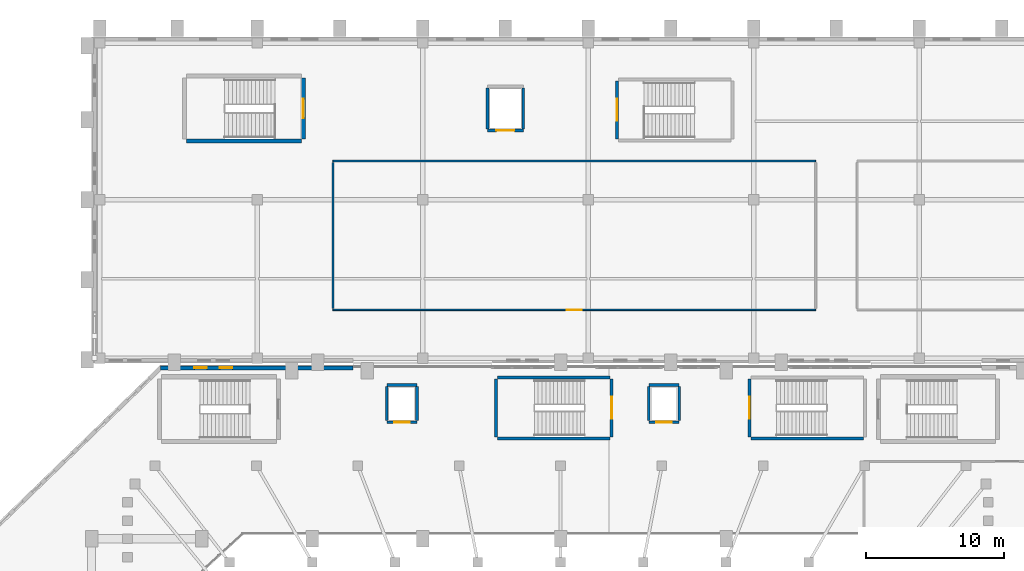
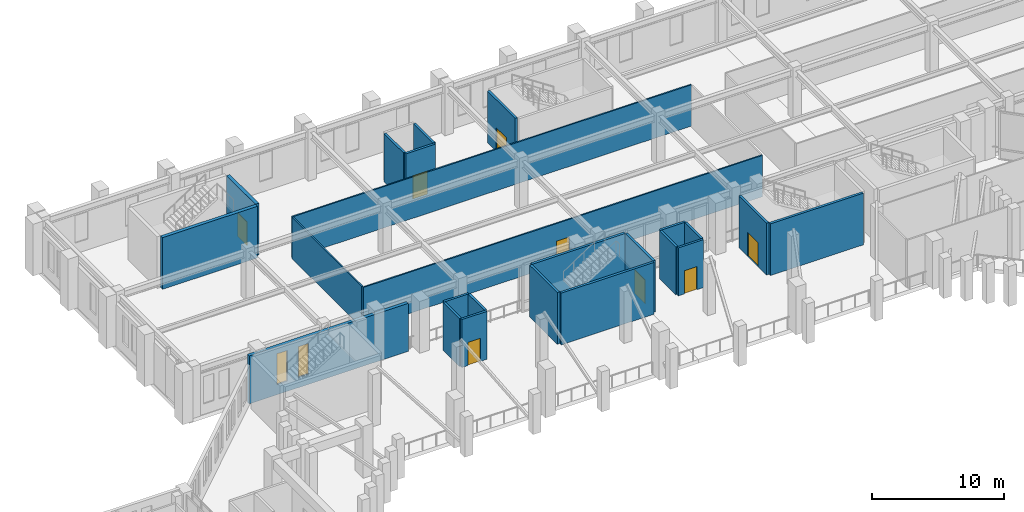
# One storey, part 96 of 126: 24 walls, 8 doors, 2 windows, 10 openings.
"""IFC4 building model written with IfcOpenShell, lengths in metres."""

from ifc_helpers import new_model, si_unit, derived_unit, direction, frame, frame_2d, origin, place, context, subcontext, project, spatial, rectangle, extrude, material, layer, layer_set, type_object, element, fill, save


model = new_model("IFC4")

# Units and contexts
model_context = context("Model", 3, precision=1e-05, world=origin(), true_north=direction((0.0, 1.0)))
body_context = subcontext(model_context, "Body", "Model", "MODEL_VIEW")
ifc_project = project(units=[si_unit("LENGTHUNIT", "METRE"), si_unit("AREAUNIT", "SQUARE_METRE"), si_unit("VOLUMEUNIT", "CUBIC_METRE"), si_unit("PLANEANGLEUNIT", "RADIAN"), si_unit("MASSUNIT", "GRAM", prefix="KILO"), derived_unit("THERMALTRANSMITTANCEUNIT", [(si_unit("MASSUNIT", "GRAM", prefix="KILO"), 1), (si_unit("TIMEUNIT", "SECOND"), -3), (si_unit("THERMODYNAMICTEMPERATUREUNIT", "KELVIN"), -1)])], contexts=[model_context])

# Site, building, storey
site_placement = place(None, origin())
site = spatial("IfcSite", under=ifc_project, at=site_placement, CompositionType="ELEMENT")
building_placement = place(site_placement, origin())
building = spatial("IfcBuilding", under=site, at=building_placement, Name="Valcora Ridge Arena", CompositionType="ELEMENT")
storey_placement = place(building_placement, frame((0.0, 0.0, 11.39990234375)))
storey = spatial("IfcBuildingStorey", under=building, at=storey_placement, Name="L02", CompositionType="ELEMENT", Elevation=11.39990234375)

# Wall, openings, windows
ifc_material_1 = material(Name="Bush-hammered Andean travertine on concrete backup C40/50", Category="masonry")
ifc_layer_1 = layer(ifc_material_1, 0.280029296875, Name="Bush-hammered Andean travertine on concrete backup C40/50")
ifc_layer_set_1 = layer_set([ifc_layer_1], Name="Bush-hammered Andean travertine on concrete backup C40/50")
wall_type_1 = type_object("IfcWallType", Name="TY-WALL-EW-TRV-28-44", PredefinedType="STANDARD", material=ifc_layer_set_1)
wall_1_placement = place(storey_placement, frame((29.0, 108.0, 0.0), z_axis=(0.0, 0.0, 1.0), x_axis=(1.0, 0.0, 0.0)))
wall_1 = element("IfcWall", 1, at=wall_1_placement, inside=storey, type_object=wall_type_1, Name="EW-TRV-28-44 WAL-EW-0051", PredefinedType="STANDARD", context=body_context, shape_type="SweptSolid", body=[
    extrude(rectangle(XDim=13.949951171875, YDim=0.280029296875, at=frame_2d((6.97509765625, 0.0))), origin(), (0.0, 0.0, 1.0), 4.4501953125),
])
opening_1_placement = place(wall_1_placement, frame((2.449951171875, 0.0, 0.949951171875)))
opening_1 = element("IfcOpeningElement", 2, at=opening_1_placement, cuts=wall_1, Name="Opening W-GLAN-90X285", PredefinedType="OPENING", context=body_context, shape_type="SweptSolid", body=[
    extrude(rectangle(XDim=0.89990234375, YDim=2.85009765625, at=frame_2d((0.449951171875, 1.425048828125))), frame((0.0, 0.14990234375, 0.0), z_axis=(0.0, -1.0, 0.0), x_axis=(1.0, 0.0, 0.0)), (0.0, 0.0, 1.0), 0.300048828125),
])
opening_2_placement = place(wall_1_placement, frame((4.300048828125, 0.0, 0.949951171875)))
opening_2 = element("IfcOpeningElement", 3, at=opening_2_placement, cuts=wall_1, Name="Opening W-GLAN-90X285", PredefinedType="OPENING", context=body_context, shape_type="SweptSolid", body=[
    extrude(rectangle(XDim=0.89990234375, YDim=2.85009765625, at=frame_2d((0.449951171875, 1.425048828125))), frame((0.0, 0.14990234375, 0.0), z_axis=(0.0, -1.0, 0.0), x_axis=(1.0, 0.0, 0.0)), (0.0, 0.0, 1.0), 0.300048828125),
])
ifc_material_2 = material(Name="Low-iron solar-control double glazing SHGC 0.28", Category="glass")
window_type = type_object("IfcWindowType", Name="TY-WINDOW-W-GLAN-90X285", PartitioningType="DOUBLE_PANEL_VERTICAL", PredefinedType="WINDOW", material=ifc_material_2)
window_1_placement = place(opening_1_placement, origin())
window_1 = element("IfcWindow", 4, at=window_1_placement, inside=storey, type_object=window_type, Name="W-GLAN-90X285 WIN-EX-0124", OverallHeight=2.85009765625, OverallWidth=0.89990234375, PartitioningType="DOUBLE_PANEL_VERTICAL", PredefinedType="WINDOW", context=body_context, shape_type="SweptSolid", body=[
    extrude(rectangle(XDim=0.89990234375, YDim=2.85009765625, at=frame_2d((0.449951171875, 1.425048828125))), frame((0.0, 0.030029296875, 0.0), z_axis=(0.0, -1.0, 0.0), x_axis=(1.0, 0.0, 0.0)), (0.0, 0.0, 1.0), 0.06005859375),
])
fill(opening_1, window_1)
window_2_placement = place(opening_2_placement, origin())
window_2 = element("IfcWindow", 5, at=window_2_placement, inside=storey, type_object=window_type, Name="W-GLAN-90X285 WIN-EX-0125", OverallHeight=2.85009765625, OverallWidth=0.89990234375, PartitioningType="DOUBLE_PANEL_VERTICAL", PredefinedType="WINDOW", context=body_context, shape_type="SweptSolid", body=[
    extrude(rectangle(XDim=0.89990234375, YDim=2.85009765625, at=frame_2d((0.449951171875, 1.425048828125))), frame((0.0, 0.030029296875, 0.0), z_axis=(0.0, -1.0, 0.0), x_axis=(1.0, 0.0, 0.0)), (0.0, 0.0, 1.0), 0.06005859375),
])
fill(opening_2, window_2)

# Wall, opening, door
ifc_material_3 = material(Name="Acoustic metal-stud gypsum partition 120 mm")
ifc_layer_2 = layer(ifc_material_3, 0.1201171875, Name="Acoustic metal-stud gypsum partition 120 mm")
ifc_layer_set_2 = layer_set([ifc_layer_2], Name="Acoustic metal-stud gypsum partition 120 mm")
wall_type_2 = type_object("IfcWallType", Name="TY-WALL-IW-PART-120", PredefinedType="PARTITIONING", material=ifc_layer_set_2)
wall_2_placement = place(storey_placement, frame((41.5, 112.199951171875, 0.0), z_axis=(0.0, 0.0, 1.0), x_axis=(1.0, 0.0, 0.0)))
wall_2 = element("IfcWall", 6, at=wall_2_placement, inside=storey, type_object=wall_type_2, Name="IW-PART-120 WAL-IN-0387", PredefinedType="PARTITIONING", context=body_context, shape_type="SweptSolid", body=[
    extrude(rectangle(XDim=35.0, YDim=0.1201171875, at=frame_2d((17.5, 0.0))), origin(), (0.0, 0.0, 1.0), 3.838134765625),
])
opening_3_placement = place(wall_2_placement, frame((16.949951171875, 0.0, 0.0)))
opening_3 = element("IfcOpeningElement", 7, at=opening_3_placement, cuts=wall_2, Name="Opening D-INT-1100", PredefinedType="OPENING", context=body_context, shape_type="SweptSolid", body=[
    extrude(rectangle(XDim=1.10009765625, YDim=2.199951171875, at=frame_2d((0.550048828125, 1.10009765625))), frame((0.0, 0.070068359375, 0.0), z_axis=(0.0, -1.0, 0.0), x_axis=(1.0, 0.0, 0.0)), (0.0, 0.0, 1.0), 0.14013671875),
])
ifc_material_4 = material(Name="Solid-core acoustic timber veneer door leaf", Category="wood")
door_type_1 = type_object("IfcDoorType", Name="TY-DOOR-D-INT-1100", OperationType="NOTDEFINED", PredefinedType="DOOR", material=ifc_material_4)
door_1_placement = place(opening_3_placement, origin())
door_1 = element("IfcDoor", 8, at=door_1_placement, inside=storey, type_object=door_type_1, Name="D-INT-1100 DOR-IN-0102", OperationType="SINGLE_SWING_LEFT", OverallHeight=2.199951171875, OverallWidth=1.10009765625, PredefinedType="DOOR", context=body_context, shape_type="SweptSolid", body=[
    extrude(rectangle(XDim=1.10009765625, YDim=2.199951171875, at=frame_2d((0.550048828125, 1.10009765625))), frame((0.0, 0.02490234375, 0.0), z_axis=(0.0, -1.0, 0.0), x_axis=(1.0, 0.0, 0.0)), (0.0, 0.0, 1.0), 0.050048828125),
])
fill(opening_3, door_1)

# Walls
wall_3_placement = place(storey_placement, frame((41.5, 123.0, 0.0), z_axis=(0.0, 0.0, 1.0), x_axis=(1.0, 0.0, 0.0)))
element("IfcWall", 9, at=wall_3_placement, inside=storey, type_object=wall_type_2, Name="IW-PART-120 WAL-IN-0388", PredefinedType="PARTITIONING", context=body_context, shape_type="SweptSolid", body=[
    extrude(rectangle(XDim=35.0, YDim=0.1201171875, at=frame_2d((17.5, 0.0))), origin(), (0.0, 0.0, 1.0), 3.838134765625),
])
wall_4_placement = place(storey_placement, frame((41.5, 112.320068359375, 0.0), z_axis=(0.0, 0.0, 1.0), x_axis=(0.0, 1.0, 0.0)))
element("IfcWall", 10, at=wall_4_placement, inside=storey, type_object=wall_type_2, Name="IW-PART-120 WAL-IN-0389", PredefinedType="PARTITIONING", context=body_context, shape_type="SweptSolid", body=[
    extrude(rectangle(XDim=10.559814453125, YDim=0.1201171875, at=frame_2d((5.27978515625, 0.0))), origin(), (0.0, 0.0, 1.0), 3.838134765625),
])

# Wall, opening, door
ifc_material_5 = material(Name="Concrete C40/50", Category="concrete")
ifc_layer_3 = layer(ifc_material_5, 0.199951171875, Name="Concrete C40/50")
ifc_layer_set_3 = layer_set([ifc_layer_3], Name="Concrete C40/50")
wall_type_3 = type_object("IfcWallType", Name="TY-WALL-IW-SHF-200", PredefinedType="STANDARD", material=ifc_layer_set_3)
wall_5_placement = place(storey_placement, frame((45.39990234375, 104.050048828125, 0.0), z_axis=(0.0, 0.0, 1.0), x_axis=(1.0, 0.0, 0.0)))
wall_5 = element("IfcWall", 11, at=wall_5_placement, inside=storey, type_object=wall_type_3, Name="IW-SHF-200 WAL-SH-0117", PredefinedType="STANDARD", context=body_context, shape_type="SweptSolid", body=[
    extrude(rectangle(XDim=2.2001953125, YDim=0.199951171875, at=frame_2d((1.10009765625, 0.0))), origin(), (0.0, 0.0, 1.0), 4.4501953125),
])
opening_4_placement = place(wall_5_placement, frame((0.550048828125, 0.0, 0.0)))
opening_4 = element("IfcOpeningElement", 12, at=opening_4_placement, cuts=wall_5, Name="Opening LD-PAX", PredefinedType="OPENING", context=body_context, shape_type="SweptSolid", body=[
    extrude(rectangle(XDim=1.10009765625, YDim=2.14990234375, at=frame_2d((0.550048828125, 1.074951171875))), frame((0.0, 0.10986328125, 0.0), z_axis=(0.0, -1.0, 0.0), x_axis=(1.0, 0.0, 0.0)), (0.0, 0.0, 1.0), 0.219970703125),
])
ifc_material_6 = material(Name="Insulated fire-rated hollow metal steel", Category="steel")
door_type_2 = type_object("IfcDoorType", Name="TY-DOOR-LD-PAX", OperationType="NOTDEFINED", PredefinedType="DOOR", material=ifc_material_6)
door_2_placement = place(opening_4_placement, origin())
door_2 = element("IfcDoor", 13, at=door_2_placement, inside=storey, type_object=door_type_2, Name="PL3 Landing Door L02", OperationType="SLIDING_TO_LEFT", OverallHeight=2.14990234375, OverallWidth=1.10009765625, PredefinedType="DOOR", context=body_context, shape_type="SweptSolid", body=[
    extrude(rectangle(XDim=1.10009765625, YDim=2.14990234375, at=frame_2d((0.550048828125, 1.074951171875))), frame((0.0, 0.02490234375, 0.0), z_axis=(0.0, -1.0, 0.0), x_axis=(1.0, 0.0, 0.0)), (0.0, 0.0, 1.0), 0.050048828125),
])
fill(opening_4, door_2)

# Walls
wall_6_placement = place(storey_placement, frame((45.39990234375, 106.75, 0.0), z_axis=(0.0, 0.0, 1.0), x_axis=(1.0, 0.0, 0.0)))
element("IfcWall", 14, at=wall_6_placement, inside=storey, type_object=wall_type_3, Name="IW-SHF-200 WAL-SH-0118", PredefinedType="STANDARD", context=body_context, shape_type="SweptSolid", body=[
    extrude(rectangle(XDim=2.2001953125, YDim=0.199951171875, at=frame_2d((1.10009765625, 0.0))), origin(), (0.0, 0.0, 1.0), 4.4501953125),
])
for number, where, z_axis, x_axis, name in (
    (15, (45.39990234375, 104.169921875, 0.0), (0.0, 0.0, 1.0), (0.0, 1.0, 0.0), "IW-SHF-200 WAL-SH-0119"),
    (16, (47.60009765625, 104.169921875, 0.0), (0.0, 0.0, 1.0), (0.0, 1.0, 0.0), "IW-SHF-200 WAL-SH-0120"),
):
    element("IfcWall", number, at=place(storey_placement, frame(where, z_axis=z_axis, x_axis=x_axis)), inside=storey, type_object=wall_type_3, Name=name, PredefinedType="STANDARD", context=body_context, shape_type="SweptSolid", body=[
        extrude(rectangle(XDim=2.4599609375, YDim=0.199951171875, at=frame_2d((1.22998046875, 0.0))), origin(), (0.0, 0.0, 1.0), 4.4501953125),
    ])

# Wall, opening, door
wall_7_placement = place(storey_placement, frame((64.39990234375, 104.050048828125, 0.0), z_axis=(0.0, 0.0, 1.0), x_axis=(1.0, 0.0, 0.0)))
wall_7 = element("IfcWall", 17, at=wall_7_placement, inside=storey, type_object=wall_type_3, Name="IW-SHF-200 WAL-SH-0141", PredefinedType="STANDARD", context=body_context, shape_type="SweptSolid", body=[
    extrude(rectangle(XDim=2.2001953125, YDim=0.199951171875, at=frame_2d((1.10009765625, 0.0))), origin(), (0.0, 0.0, 1.0), 4.4501953125),
])
opening_5_placement = place(wall_7_placement, frame((0.550048828125, 0.0, 0.0)))
opening_5 = element("IfcOpeningElement", 18, at=opening_5_placement, cuts=wall_7, Name="Opening LD-PAX", PredefinedType="OPENING", context=body_context, shape_type="SweptSolid", body=[
    extrude(rectangle(XDim=1.10009765625, YDim=2.14990234375, at=frame_2d((0.550048828125, 1.074951171875))), frame((0.0, 0.10986328125, 0.0), z_axis=(0.0, -1.0, 0.0), x_axis=(1.0, 0.0, 0.0)), (0.0, 0.0, 1.0), 0.219970703125),
])
door_3_placement = place(opening_5_placement, origin())
door_3 = element("IfcDoor", 19, at=door_3_placement, inside=storey, type_object=door_type_2, Name="PL4 Landing Door L02", OperationType="SLIDING_TO_LEFT", OverallHeight=2.14990234375, OverallWidth=1.10009765625, PredefinedType="DOOR", context=body_context, shape_type="SweptSolid", body=[
    extrude(rectangle(XDim=1.10009765625, YDim=2.14990234375, at=frame_2d((0.550048828125, 1.074951171875))), frame((0.0, 0.02490234375, 0.0), z_axis=(0.0, -1.0, 0.0), x_axis=(1.0, 0.0, 0.0)), (0.0, 0.0, 1.0), 0.050048828125),
])
fill(opening_5, door_3)

# Walls
wall_8_placement = place(storey_placement, frame((64.39990234375, 106.75, 0.0), z_axis=(0.0, 0.0, 1.0), x_axis=(1.0, 0.0, 0.0)))
element("IfcWall", 20, at=wall_8_placement, inside=storey, type_object=wall_type_3, Name="IW-SHF-200 WAL-SH-0142", PredefinedType="STANDARD", context=body_context, shape_type="SweptSolid", body=[
    extrude(rectangle(XDim=2.2001953125, YDim=0.199951171875, at=frame_2d((1.10009765625, 0.0))), origin(), (0.0, 0.0, 1.0), 4.4501953125),
])
for number, where, z_axis, x_axis, name in (
    (21, (64.39990234375, 104.169921875, 0.0), (0.0, 0.0, 1.0), (0.0, 1.0, 0.0), "IW-SHF-200 WAL-SH-0143"),
    (22, (66.60009765625, 104.169921875, 0.0), (0.0, 0.0, 1.0), (0.0, 1.0, 0.0), "IW-SHF-200 WAL-SH-0144"),
):
    element("IfcWall", number, at=place(storey_placement, frame(where, z_axis=z_axis, x_axis=x_axis)), inside=storey, type_object=wall_type_3, Name=name, PredefinedType="STANDARD", context=body_context, shape_type="SweptSolid", body=[
        extrude(rectangle(XDim=2.4599609375, YDim=0.199951171875, at=frame_2d((1.22998046875, 0.0))), origin(), (0.0, 0.0, 1.0), 4.4501953125),
    ])

# Wall, opening, door
wall_9_placement = place(storey_placement, frame((52.699951171875, 125.199951171875, 0.0), z_axis=(0.0, 0.0, 1.0), x_axis=(1.0, 0.0, 0.0)))
wall_9 = element("IfcWall", 23, at=wall_9_placement, inside=storey, type_object=wall_type_3, Name="IW-SHF-200 WAL-SH-0257", PredefinedType="STANDARD", context=body_context, shape_type="SweptSolid", body=[
    extrude(rectangle(XDim=2.60009765625, YDim=0.199951171875, at=frame_2d((1.300048828125, 0.0))), origin(), (0.0, 0.0, 1.0), 4.4501953125),
])
opening_6_placement = place(wall_9_placement, frame((0.64990234375, 0.0, 0.0)))
opening_6 = element("IfcOpeningElement", 24, at=opening_6_placement, cuts=wall_9, Name="Opening LD-GDS", PredefinedType="OPENING", context=body_context, shape_type="SweptSolid", body=[
    extrude(rectangle(XDim=1.300048828125, YDim=2.14990234375, at=frame_2d((0.64990234375, 1.074951171875))), frame((0.0, 0.10986328125, 0.0), z_axis=(0.0, -1.0, 0.0), x_axis=(1.0, 0.0, 0.0)), (0.0, 0.0, 1.0), 0.219970703125),
])
door_type_3 = type_object("IfcDoorType", Name="TY-DOOR-LD-GDS", OperationType="NOTDEFINED", PredefinedType="DOOR", material=ifc_material_6)
door_4_placement = place(opening_6_placement, origin())
door_4 = element("IfcDoor", 25, at=door_4_placement, inside=storey, type_object=door_type_3, Name="GL1 Landing Door L02", OperationType="SLIDING_TO_LEFT", OverallHeight=2.14990234375, OverallWidth=1.300048828125, PredefinedType="DOOR", context=body_context, shape_type="SweptSolid", body=[
    extrude(rectangle(XDim=1.300048828125, YDim=2.14990234375, at=frame_2d((0.64990234375, 1.074951171875))), frame((0.0, 0.02490234375, 0.0), z_axis=(0.0, -1.0, 0.0), x_axis=(1.0, 0.0, 0.0)), (0.0, 0.0, 1.0), 0.050048828125),
])
fill(opening_6, door_4)

# Walls
for number, where, z_axis, x_axis, name in (
    (26, (52.699951171875, 125.320068359375, 0.0), (0.0, 0.0, 1.0), (0.0, 1.0, 0.0), "IW-SHF-200 WAL-SH-0259"),
    (27, (55.300048828125, 125.320068359375, 0.0), (0.0, 0.0, 1.0), (0.0, 1.0, 0.0), "IW-SHF-200 WAL-SH-0260"),
):
    element("IfcWall", number, at=place(storey_placement, frame(where, z_axis=z_axis, x_axis=x_axis)), inside=storey, type_object=wall_type_3, Name=name, PredefinedType="STANDARD", context=body_context, shape_type="SweptSolid", body=[
        extrude(rectangle(XDim=2.9599609375, YDim=0.199951171875, at=frame_2d((1.47998046875, 0.0))), origin(), (0.0, 0.0, 1.0), 4.4501953125),
    ])
ifc_material_7 = material(Name="Concrete C45/55", Category="concrete")
ifc_layer_4 = layer(ifc_material_7, 0.300048828125, Name="Concrete C45/55")
ifc_layer_set_4 = layer_set([ifc_layer_4], Name="Concrete C45/55")
wall_type_4 = type_object("IfcWallType", Name="TY-WALL-SW-C300-L", PredefinedType="SHEAR", material=ifc_layer_set_4)
wall_10_placement = place(storey_placement, frame((30.8798828125, 124.449951171875, 0.0), z_axis=(0.0, 0.0, 1.0), x_axis=(1.0, 0.0, 0.0)))
element("IfcWall", 28, at=wall_10_placement, inside=storey, type_object=wall_type_4, Name="SW-C300-L WAL-CR-0189", PredefinedType="SHEAR", context=body_context, shape_type="SweptSolid", body=[
    extrude(rectangle(XDim=8.320068359375, YDim=0.300048828125, at=frame_2d((4.16015625, 0.0))), origin(), (0.0, 0.0, 1.0), 4.800048828125),
])

# Wall, opening, door
ifc_layer_5 = layer(ifc_material_7, 0.300048828125, Name="Concrete C45/55")
ifc_layer_set_5 = layer_set([ifc_layer_5], Name="Concrete C45/55")
wall_type_5 = type_object("IfcWallType", Name="TY-WALL-SW-C300-S", PredefinedType="SHEAR", material=ifc_layer_set_5)
wall_11_placement = place(storey_placement, frame((39.35009765625, 124.60009765625, 0.0), z_axis=(0.0, 0.0, 1.0), x_axis=(0.0, 1.0, 0.0)))
wall_11 = element("IfcWall", 29, at=wall_11_placement, inside=storey, type_object=wall_type_5, Name="SW-C300-S WAL-CR-0192", PredefinedType="SHEAR", context=body_context, shape_type="SweptSolid", body=[
    extrude(rectangle(XDim=4.39990234375, YDim=0.300048828125, at=frame_2d((2.199951171875, 0.0))), origin(), (0.0, 0.0, 1.0), 4.800048828125),
])
opening_7_placement = place(wall_11_placement, frame((1.5, 0.0, 0.0)))
opening_7 = element("IfcOpeningElement", 30, at=opening_7_placement, cuts=wall_11, Name="Opening FD-01", PredefinedType="OPENING", context=body_context, shape_type="SweptSolid", body=[
    extrude(rectangle(XDim=1.39990234375, YDim=2.199951171875, at=frame_2d((0.699951171875, 1.10009765625))), frame((0.0, 0.159912109375, 0.0), z_axis=(0.0, -1.0, 0.0), x_axis=(1.0, 0.0, 0.0)), (0.0, 0.0, 1.0), 0.320068359375),
])
ifc_material_8 = material(Name="Insulated fire-rated steel door leaf", Category="steel")
door_type_4 = type_object("IfcDoorType", Name="TY-DOOR-FD-01", OperationType="NOTDEFINED", PredefinedType="DOOR", material=ifc_material_8)
door_5_placement = place(opening_7_placement, origin())
door_5 = element("IfcDoor", 31, at=door_5_placement, inside=storey, type_object=door_type_4, Name="FD-01 DOR-ST-0048", OperationType="DOUBLE_DOOR_SINGLE_SWING", OverallHeight=2.199951171875, OverallWidth=1.39990234375, PredefinedType="DOOR", context=body_context, shape_type="SweptSolid", body=[
    extrude(rectangle(XDim=1.39990234375, YDim=2.199951171875, at=frame_2d((0.699951171875, 1.10009765625))), frame((0.0, 0.02490234375, 0.0), z_axis=(0.0, -1.0, 0.0), x_axis=(1.0, 0.0, 0.0)), (0.0, 0.0, 1.0), 0.050048828125),
])
fill(opening_7, door_5)

# Walls
ifc_material_9 = material(Name="Fire-resisting reinforced concrete enclosure C40/50 200 mm", Category="concrete")
ifc_layer_6 = layer(ifc_material_9, 0.219970703125, Name="Fire-resisting reinforced concrete enclosure C40/50 200 mm")
ifc_layer_set_6 = layer_set([ifc_layer_6], Name="Fire-resisting reinforced concrete enclosure C40/50 200 mm")
wall_type_6 = type_object("IfcWallType", Name="TY-WALL-SW-ES-220", PredefinedType="SHEAR", material=ifc_layer_set_6)
for number, where, z_axis, x_axis, name in (
    (32, (53.43994140625, 102.889892578125, 0.0), (0.0, 0.0, 1.0), (1.0, 0.0, 0.0), "SW-ES-220 WAL-ES-0061"),
    (33, (53.43994140625, 107.31005859375, 0.0), (0.0, 0.0, 1.0), (1.0, 0.0, 0.0), "SW-ES-220 WAL-ES-0062"),
):
    element("IfcWall", number, at=place(storey_placement, frame(where, z_axis=z_axis, x_axis=x_axis)), inside=storey, type_object=wall_type_6, Name=name, PredefinedType="SHEAR", context=body_context, shape_type="SweptSolid", body=[
        extrude(rectangle(XDim=8.16015625, YDim=0.219970703125, at=frame_2d((4.080078125, 0.0))), origin(), (0.0, 0.0, 1.0), 4.800048828125),
    ])
wall_12_placement = place(storey_placement, frame((53.330078125, 103.0, 0.0), z_axis=(0.0, 0.0, 1.0), x_axis=(0.0, 1.0, 0.0)))
element("IfcWall", 34, at=wall_12_placement, inside=storey, type_object=wall_type_6, Name="SW-ES-220 WAL-ES-0063", PredefinedType="SHEAR", context=body_context, shape_type="SweptSolid", body=[
    extrude(rectangle(XDim=4.199951171875, YDim=0.219970703125, at=frame_2d((2.10009765625, 0.0))), origin(), (0.0, 0.0, 1.0), 4.800048828125),
])

# Wall, opening, door
wall_13_placement = place(storey_placement, frame((61.7099609375, 103.0, 0.0), z_axis=(0.0, 0.0, 1.0), x_axis=(0.0, 1.0, 0.0)))
wall_13 = element("IfcWall", 35, at=wall_13_placement, inside=storey, type_object=wall_type_6, Name="SW-ES-220 WAL-ES-0064", PredefinedType="SHEAR", context=body_context, shape_type="SweptSolid", body=[
    extrude(rectangle(XDim=4.199951171875, YDim=0.219970703125, at=frame_2d((2.10009765625, 0.0))), origin(), (0.0, 0.0, 1.0), 4.800048828125),
])
opening_8_placement = place(wall_13_placement, frame((1.300048828125, 0.0, 0.0)))
opening_8 = element("IfcOpeningElement", 36, at=opening_8_placement, cuts=wall_13, Name="Opening FD-02", PredefinedType="OPENING", context=body_context, shape_type="SweptSolid", body=[
    extrude(rectangle(XDim=1.60009765625, YDim=2.199951171875, at=frame_2d((0.800048828125, 1.10009765625))), frame((0.0, 0.119873046875, 0.0), z_axis=(0.0, -1.0, 0.0), x_axis=(1.0, 0.0, 0.0)), (0.0, 0.0, 1.0), 0.239990234375),
])
door_type_5 = type_object("IfcDoorType", Name="TY-DOOR-FD-02", OperationType="NOTDEFINED", PredefinedType="DOOR", material=ifc_material_8)
door_6_placement = place(opening_8_placement, origin())
door_6 = element("IfcDoor", 37, at=door_6_placement, inside=storey, type_object=door_type_5, Name="FD-02 DOR-ES-0013", OperationType="DOUBLE_DOOR_SINGLE_SWING", OverallHeight=2.199951171875, OverallWidth=1.60009765625, PredefinedType="DOOR", context=body_context, shape_type="SweptSolid", body=[
    extrude(rectangle(XDim=1.60009765625, YDim=2.199951171875, at=frame_2d((0.800048828125, 1.10009765625))), frame((0.0, 0.02490234375, 0.0), z_axis=(0.0, -1.0, 0.0), x_axis=(1.0, 0.0, 0.0)), (0.0, 0.0, 1.0), 0.050048828125),
])
fill(opening_8, door_6)

# Wall
wall_14_placement = place(storey_placement, frame((71.800048828125, 102.889892578125, 0.0), z_axis=(0.0, 0.0, 1.0), x_axis=(1.0, 0.0, 0.0)))
element("IfcWall", 38, at=wall_14_placement, inside=storey, type_object=wall_type_6, Name="SW-ES-220 WAL-ES-0085", PredefinedType="SHEAR", context=body_context, shape_type="SweptSolid", body=[
    extrude(rectangle(XDim=8.159912109375, YDim=0.219970703125, at=frame_2d((4.080078125, 0.0))), origin(), (0.0, 0.0, 1.0), 4.800048828125),
])

# Wall, opening, door
wall_15_placement = place(storey_placement, frame((71.68994140625, 103.0, 0.0), z_axis=(0.0, 0.0, 1.0), x_axis=(0.0, 1.0, 0.0)))
wall_15 = element("IfcWall", 39, at=wall_15_placement, inside=storey, type_object=wall_type_6, Name="SW-ES-220 WAL-ES-0087", PredefinedType="SHEAR", context=body_context, shape_type="SweptSolid", body=[
    extrude(rectangle(XDim=4.199951171875, YDim=0.219970703125, at=frame_2d((2.10009765625, 0.0))), origin(), (0.0, 0.0, 1.0), 4.800048828125),
])
opening_9_placement = place(wall_15_placement, frame((1.300048828125, 0.0, 0.0)))
opening_9 = element("IfcOpeningElement", 40, at=opening_9_placement, cuts=wall_15, Name="Opening FD-02", PredefinedType="OPENING", context=body_context, shape_type="SweptSolid", body=[
    extrude(rectangle(XDim=1.60009765625, YDim=2.199951171875, at=frame_2d((0.800048828125, 1.10009765625))), frame((0.0, 0.119873046875, 0.0), z_axis=(0.0, -1.0, 0.0), x_axis=(1.0, 0.0, 0.0)), (0.0, 0.0, 1.0), 0.239990234375),
])
door_7_placement = place(opening_9_placement, origin())
door_7 = element("IfcDoor", 41, at=door_7_placement, inside=storey, type_object=door_type_5, Name="FD-02 DOR-ES-0018", OperationType="DOUBLE_DOOR_SINGLE_SWING", OverallHeight=2.199951171875, OverallWidth=1.60009765625, PredefinedType="DOOR", context=body_context, shape_type="SweptSolid", body=[
    extrude(rectangle(XDim=1.60009765625, YDim=2.199951171875, at=frame_2d((0.800048828125, 1.10009765625))), frame((0.0, 0.02490234375, 0.0), z_axis=(0.0, -1.0, 0.0), x_axis=(1.0, 0.0, 0.0)), (0.0, 0.0, 1.0), 0.050048828125),
])
fill(opening_9, door_7)

wall_16_placement = place(storey_placement, frame((62.090087890625, 124.60009765625, 0.0), z_axis=(0.0, 0.0, 1.0), x_axis=(0.0, 1.0, 0.0)))
wall_16 = element("IfcWall", 42, at=wall_16_placement, inside=storey, type_object=wall_type_6, Name="SW-ES-220 WAL-ES-0179", PredefinedType="SHEAR", context=body_context, shape_type="SweptSolid", body=[
    extrude(rectangle(XDim=4.199951171875, YDim=0.219970703125, at=frame_2d((2.10009765625, 0.0))), origin(), (0.0, 0.0, 1.0), 4.800048828125),
])
opening_10_placement = place(wall_16_placement, frame((1.300048828125, 0.0, 0.0)))
opening_10 = element("IfcOpeningElement", 43, at=opening_10_placement, cuts=wall_16, Name="Opening FD-02", PredefinedType="OPENING", context=body_context, shape_type="SweptSolid", body=[
    extrude(rectangle(XDim=1.60009765625, YDim=2.199951171875, at=frame_2d((0.800048828125, 1.10009765625))), frame((0.0, 0.119873046875, 0.0), z_axis=(0.0, -1.0, 0.0), x_axis=(1.0, 0.0, 0.0)), (0.0, 0.0, 1.0), 0.239990234375),
])
door_8_placement = place(opening_10_placement, origin())
door_8 = element("IfcDoor", 44, at=door_8_placement, inside=storey, type_object=door_type_5, Name="FD-02 DOR-ES-0040", OperationType="DOUBLE_DOOR_SINGLE_SWING", OverallHeight=2.199951171875, OverallWidth=1.60009765625, PredefinedType="DOOR", context=body_context, shape_type="SweptSolid", body=[
    extrude(rectangle(XDim=1.60009765625, YDim=2.199951171875, at=frame_2d((0.800048828125, 1.10009765625))), frame((0.0, 0.02490234375, 0.0), z_axis=(0.0, -1.0, 0.0), x_axis=(1.0, 0.0, 0.0)), (0.0, 0.0, 1.0), 0.050048828125),
])
fill(opening_10, door_8)

save(model, "model.ifc")
